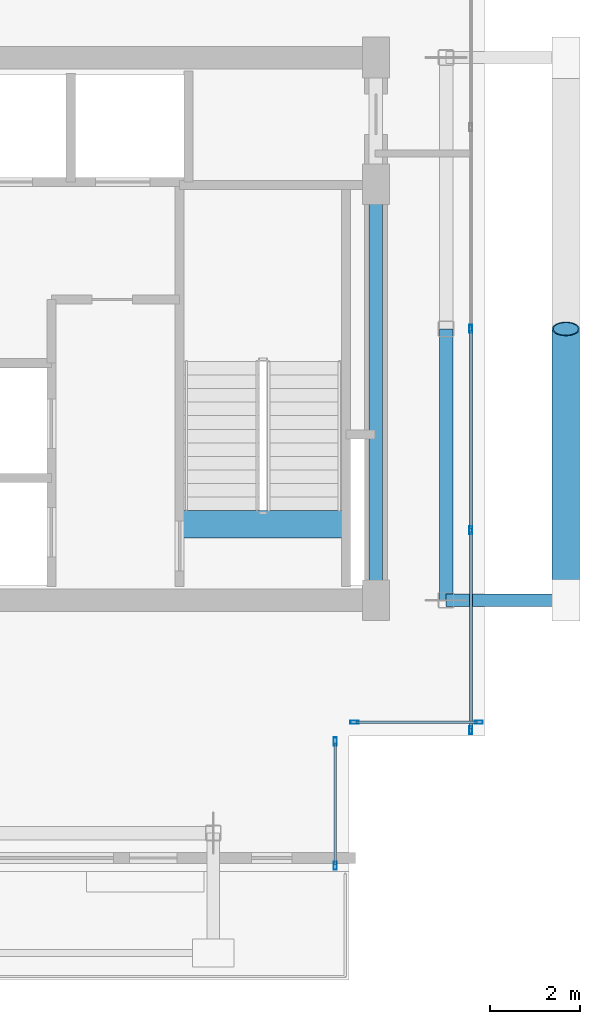
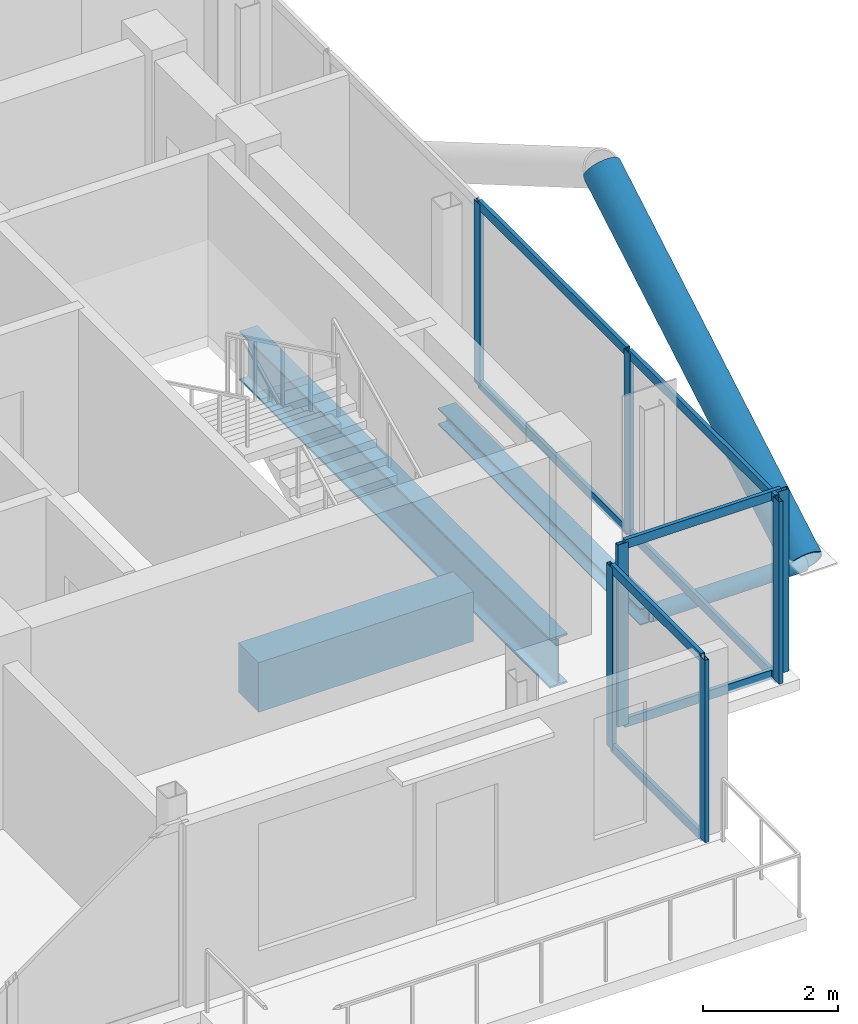
# One storey, part 12 of 19: 17 members, 3 beams, 3 elements without a shape of their own.
"""IFC4 building model written with IfcOpenShell, lengths in metres."""

from ifc_helpers import new_model, si_unit, direction, frame, origin, origin_2d, place, context, subcontext, project, spatial, rectangle, hollow_rectangle, hollow_circle, i_section, extrude, material, layer, layer_set, material_profile, profile_set, type_object, element, aggregate, save


model = new_model("IFC4")

# Units and contexts
model_context = context("Model", 3, precision=1e-05, world=origin(), true_north=direction((0.0, 1.0)))
body_context = subcontext(model_context, "Body", "Model", "MODEL_VIEW")
ifc_project = project(units=[si_unit("LENGTHUNIT", "METRE"), si_unit("AREAUNIT", "SQUARE_METRE"), si_unit("VOLUMEUNIT", "CUBIC_METRE"), si_unit("PLANEANGLEUNIT", "RADIAN"), si_unit("MASSUNIT", "GRAM", prefix="KILO"), si_unit("THERMODYNAMICTEMPERATUREUNIT", "KELVIN"), si_unit("POWERUNIT", "WATT")], contexts=[model_context])

# Site, building, storey
site_placement = place(None, origin())
site = spatial("IfcSite", under=ifc_project, at=site_placement, CompositionType="ELEMENT")
building_placement = place(site_placement, origin())
building = spatial("IfcBuilding", under=site, at=building_placement, Name="Svarakhadi Broadcast Tower", CompositionType="ELEMENT")
storey_placement = place(building_placement, frame((0.0, 0.0, 285.199951171875)))
storey = spatial("IfcBuildingStorey", under=building, at=storey_placement, Name="L72", CompositionType="ELEMENT", Elevation=285.199951171875)

# Curtain wall, members
ifc_material_1 = material(Name="Anodised Bronze Aluminium AA 6063-T6", Category="aluminium")
ifc_layer = layer(ifc_material_1, 0.179931640625)
ifc_layer_set = layer_set([ifc_layer], Name="Anodised Bronze Aluminium AA 6063-T6")
curtain_wall_type = type_object("IfcCurtainWallType", Name="CW_Sys_05", PredefinedType="NOTDEFINED", material=ifc_layer_set)
curtain_wall_1_placement = place(storey_placement, origin())
curtain_wall_1 = element("IfcCurtainWall", 1, at=curtain_wall_1_placement, inside=storey, type_object=curtain_wall_type, Name="L72 Unitised Facade Curtain Wall 12", PredefinedType="NOTDEFINED")
ifc_material_profile_1 = material_profile(ifc_material_1, hollow_rectangle(XDim=0.070068359375, YDim=0.179931640625, WallThickness=0.005615234375, at=origin_2d()), Name="ALU MULLION 180x70x6")
ifc_profile_set_1 = profile_set([ifc_material_profile_1], Name="Anodised Bronze Aluminium AA 6063-T6")
member_type_1 = type_object("IfcMemberType", Name="CW_Sys_05_Mul", PredefinedType="MULLION", material=ifc_profile_set_1)
member_1_placement = place(storey_placement, frame((35.699951171875, 12.0, 0.0), z_axis=(0.0, 0.0, 1.0), x_axis=(1.0, 0.0, 0.0)))
member_1 = element("IfcMember", 2, at=member_1_placement, type_object=member_type_1, Name="CW-05 mullion 3", PredefinedType="MULLION", context=body_context, shape_type="SweptSolid", body=[
    extrude(hollow_rectangle(XDim=0.070068359375, YDim=0.179931640625, WallThickness=0.005615234375, at=origin_2d()), origin(), (0.0, 0.0, 1.0), 3.300048828125),
])
member_2_placement = place(storey_placement, frame((35.699951171875, 7.544921875, 0.0), z_axis=(0.0, 0.0, 1.0), x_axis=(1.0, 0.0, 0.0)))
member_2 = element("IfcMember", 3, at=member_2_placement, type_object=member_type_1, Name="CW-05 mullion 4", PredefinedType="MULLION", context=body_context, shape_type="SweptSolid", body=[
    extrude(hollow_rectangle(XDim=0.070068359375, YDim=0.179931640625, WallThickness=0.005615234375, at=origin_2d()), origin(), (0.0, 0.0, 1.0), 3.300048828125),
])
member_3_placement = place(storey_placement, frame((35.699951171875, 3.125, 0.0), z_axis=(0.0, 0.0, 1.0), x_axis=(1.0, 0.0, 0.0)))
member_3 = element("IfcMember", 4, at=member_3_placement, type_object=member_type_1, Name="CW-05 mullion 5", PredefinedType="MULLION", context=body_context, shape_type="SweptSolid", body=[
    extrude(hollow_rectangle(XDim=0.070068359375, YDim=0.179931640625, WallThickness=0.005615234375, at=origin_2d()), origin(), (0.0, 0.0, 1.0), 3.300048828125),
])

curtain_wall_2_placement = place(storey_placement, origin())
curtain_wall_2 = element("IfcCurtainWall", 5, at=curtain_wall_2_placement, inside=storey, type_object=curtain_wall_type, Name="L72 Unitised Facade Curtain Wall 13", PredefinedType="NOTDEFINED")
member_4_placement = place(storey_placement, frame((35.875, 3.300048828125, 0.0), z_axis=(0.0, 0.0, 1.0), x_axis=(0.0, -1.0, 0.0)))
member_4 = element("IfcMember", 6, at=member_4_placement, type_object=member_type_1, Name="CW-05 mullion 1", PredefinedType="MULLION", context=body_context, shape_type="SweptSolid", body=[
    extrude(hollow_rectangle(XDim=0.070068359375, YDim=0.179931640625, WallThickness=0.005615234375, at=origin_2d()), origin(), (0.0, 0.0, 1.0), 3.300048828125),
])
member_5_placement = place(storey_placement, frame((33.125, 3.300048828125, 0.0), z_axis=(0.0, 0.0, 1.0), x_axis=(0.0, -1.0, 0.0)))
member_5 = element("IfcMember", 7, at=member_5_placement, type_object=member_type_1, Name="CW-05 mullion 2", PredefinedType="MULLION", context=body_context, shape_type="SweptSolid", body=[
    extrude(hollow_rectangle(XDim=0.070068359375, YDim=0.179931640625, WallThickness=0.005615234375, at=origin_2d()), origin(), (0.0, 0.0, 1.0), 3.300048828125),
])

curtain_wall_3_placement = place(storey_placement, origin())
curtain_wall_3 = element("IfcCurtainWall", 8, at=curtain_wall_3_placement, inside=storey, type_object=curtain_wall_type, Name="L72 Unitised Facade Curtain Wall 14", PredefinedType="NOTDEFINED")
member_6_placement = place(storey_placement, frame((32.699951171875, 2.875, 0.0), z_axis=(0.0, 0.0, 1.0), x_axis=(1.0, 0.0, 0.0)))
member_6 = element("IfcMember", 9, at=member_6_placement, type_object=member_type_1, Name="CW-05 mullion 1", PredefinedType="MULLION", context=body_context, shape_type="SweptSolid", body=[
    extrude(hollow_rectangle(XDim=0.070068359375, YDim=0.179931640625, WallThickness=0.005615234375, at=origin_2d()), origin(), (0.0, 0.0, 1.0), 3.300048828125),
])
member_7_placement = place(storey_placement, frame((32.699951171875, 0.125, 0.0), z_axis=(0.0, 0.0, 1.0), x_axis=(1.0, 0.0, 0.0)))
member_7 = element("IfcMember", 10, at=member_7_placement, type_object=member_type_1, Name="CW-05 mullion 2", PredefinedType="MULLION", context=body_context, shape_type="SweptSolid", body=[
    extrude(hollow_rectangle(XDim=0.070068359375, YDim=0.179931640625, WallThickness=0.005615234375, at=origin_2d()), origin(), (0.0, 0.0, 1.0), 3.300048828125),
])

# Member
ifc_material_profile_2 = material_profile(ifc_material_1, hollow_rectangle(XDim=0.06494140625, YDim=0.1650390625, WallThickness=0.0048828125, at=origin_2d()), Name="ALU TRANSOM 165x65x5")
ifc_profile_set_2 = profile_set([ifc_material_profile_2], Name="Anodised Bronze Aluminium AA 6063-T6")
member_type_2 = type_object("IfcMemberType", Name="CW_Sys_05_Trn", PredefinedType="USERDEFINED", material=ifc_profile_set_2)
member_8_placement = place(storey_placement, frame((35.699951171875, 11.965087890625, 0.032470703125), z_axis=(0.0, -1.0, 0.0), x_axis=(1.0, 0.0, 0.0)))
member_8 = element("IfcMember", 11, at=member_8_placement, type_object=member_type_2, Name="CW-05 transom 3.1", ObjectType="TRANSOM", PredefinedType="USERDEFINED", context=body_context, shape_type="SweptSolid", body=[
    extrude(hollow_rectangle(XDim=0.06494140625, YDim=0.1650390625, WallThickness=0.0048828125, at=origin_2d()), origin(), (0.0, 0.0, 1.0), 4.385009765625),
])

member_9_placement = place(storey_placement, frame((35.699951171875, 11.965087890625, 3.267578125), z_axis=(0.0, -1.0, 0.0), x_axis=(1.0, 0.0, 0.0)))
member_9 = element("IfcMember", 12, at=member_9_placement, type_object=member_type_2, Name="CW-05 transom 3.2", ObjectType="TRANSOM", PredefinedType="USERDEFINED", context=body_context, shape_type="SweptSolid", body=[
    extrude(hollow_rectangle(XDim=0.06494140625, YDim=0.1650390625, WallThickness=0.0048828125, at=origin_2d()), origin(), (0.0, 0.0, 1.0), 4.385009765625),
])

member_10_placement = place(storey_placement, frame((35.699951171875, 7.510009765625, 0.032470703125), z_axis=(0.0, -1.0, 0.0), x_axis=(1.0, 0.0, 0.0)))
member_10 = element("IfcMember", 13, at=member_10_placement, type_object=member_type_2, Name="CW-05 transom 4.1", ObjectType="TRANSOM", PredefinedType="USERDEFINED", context=body_context, shape_type="SweptSolid", body=[
    extrude(hollow_rectangle(XDim=0.06494140625, YDim=0.1650390625, WallThickness=0.0048828125, at=origin_2d()), origin(), (0.0, 0.0, 1.0), 4.35009765625),
])

member_11_placement = place(storey_placement, frame((35.699951171875, 7.510009765625, 3.267578125), z_axis=(0.0, -1.0, 0.0), x_axis=(1.0, 0.0, 0.0)))
member_11 = element("IfcMember", 14, at=member_11_placement, type_object=member_type_2, Name="CW-05 transom 4.2", ObjectType="TRANSOM", PredefinedType="USERDEFINED", context=body_context, shape_type="SweptSolid", body=[
    extrude(hollow_rectangle(XDim=0.06494140625, YDim=0.1650390625, WallThickness=0.0048828125, at=origin_2d()), origin(), (0.0, 0.0, 1.0), 4.35009765625),
])

aggregate(curtain_wall_1, [member_1, member_2, member_3, member_8, member_9, member_10, member_11])

member_12_placement = place(storey_placement, frame((35.840087890625, 3.300048828125, 0.032470703125), z_axis=(-1.0, 0.0, 0.0), x_axis=(0.0, -1.0, 0.0)))
member_12 = element("IfcMember", 15, at=member_12_placement, type_object=member_type_2, Name="CW-05 transom 1.1", ObjectType="TRANSOM", PredefinedType="USERDEFINED", context=body_context, shape_type="SweptSolid", body=[
    extrude(hollow_rectangle(XDim=0.06494140625, YDim=0.1650390625, WallThickness=0.0048828125, at=origin_2d()), origin(), (0.0, 0.0, 1.0), 2.68017578125),
])

member_13_placement = place(storey_placement, frame((35.840087890625, 3.300048828125, 3.267578125), z_axis=(-1.0, 0.0, 0.0), x_axis=(0.0, -1.0, 0.0)))
member_13 = element("IfcMember", 16, at=member_13_placement, type_object=member_type_2, Name="CW-05 transom 1.2", ObjectType="TRANSOM", PredefinedType="USERDEFINED", context=body_context, shape_type="SweptSolid", body=[
    extrude(hollow_rectangle(XDim=0.06494140625, YDim=0.1650390625, WallThickness=0.0048828125, at=origin_2d()), origin(), (0.0, 0.0, 1.0), 2.68017578125),
])

aggregate(curtain_wall_2, [member_4, member_5, member_12, member_13])

member_14_placement = place(storey_placement, frame((32.699951171875, 2.840087890625, 0.032470703125), z_axis=(0.0, -1.0, 0.0), x_axis=(1.0, 0.0, 0.0)))
member_14 = element("IfcMember", 17, at=member_14_placement, type_object=member_type_2, Name="CW-05 transom 1.1", ObjectType="TRANSOM", PredefinedType="USERDEFINED", context=body_context, shape_type="SweptSolid", body=[
    extrude(hollow_rectangle(XDim=0.06494140625, YDim=0.1650390625, WallThickness=0.0048828125, at=origin_2d()), origin(), (0.0, 0.0, 1.0), 2.68017578125),
])

member_15_placement = place(storey_placement, frame((32.699951171875, 2.840087890625, 3.267578125), z_axis=(0.0, -1.0, 0.0), x_axis=(1.0, 0.0, 0.0)))
member_15 = element("IfcMember", 18, at=member_15_placement, type_object=member_type_2, Name="CW-05 transom 1.2", ObjectType="TRANSOM", PredefinedType="USERDEFINED", context=body_context, shape_type="SweptSolid", body=[
    extrude(hollow_rectangle(XDim=0.06494140625, YDim=0.1650390625, WallThickness=0.0048828125, at=origin_2d()), origin(), (0.0, 0.0, 1.0), 2.68017578125),
])

aggregate(curtain_wall_3, [member_6, member_7, member_14, member_15])

# Beam
ifc_material_2 = material(Name="Concrete C50/60 (IS 456 M60)", Category="concrete")
ifc_material_profile_3 = material_profile(ifc_material_2, rectangle(XDim=0.60009765625, YDim=0.89990234375, at=origin_2d()), Name="RC 600x900")
ifc_profile_set_3 = profile_set([ifc_material_profile_3], Name="Concrete C50/60 (IS 456 M60)")
beam_type_1 = type_object("IfcBeamType", Name="Coupling_RC600", PredefinedType="USERDEFINED", material=ifc_profile_set_3)
beam_1_placement = place(storey_placement, frame((29.260009765625, 7.679931640625, -0.449951171875), z_axis=(1.0, 0.0, 0.0), x_axis=(0.0, 1.0, 0.0)))
element("IfcBeam", 19, at=beam_1_placement, inside=storey, type_object=beam_type_1, Name="L72 Stair ST-02 Landing Throat Trimmer Beam CB-01", ObjectType="GIRDER", PredefinedType="USERDEFINED", context=body_context, shape_type="SweptSolid", body=[
    extrude(rectangle(XDim=0.60009765625, YDim=0.89990234375, at=origin_2d()), origin(), (0.0, 0.0, 1.0), 3.679931640625),
])

# Members
ifc_material_3 = material(Name="Steel S460ML (IS 2062 E450BR)", Category="steel")
ifc_material_profile_4 = material_profile(ifc_material_3, hollow_circle(Radius=0.304931640625, WallThickness=0.030029296875, at=origin_2d()), Name="CHS 610x30")
ifc_profile_set_4 = profile_set([ifc_material_profile_4], Name="Steel S460ML (IS 2062 E450BR)")
member_type_3 = type_object("IfcMemberType", Name="Exo_Brace_CHS610", PredefinedType="BRACE", material=ifc_profile_set_4)
member_16_placement = place(storey_placement, frame((37.800048828125, 6.0, -0.33642578125), z_axis=(0.0, 0.863778900898, 0.503871025524), x_axis=(-1.0, 0.0, 0.0)))
element("IfcMember", 20, at=member_16_placement, inside=storey, type_object=member_type_3, Name="L72 Exposed Bronze Exoskeleton Diagonal E04", PredefinedType="BRACE", context=body_context, shape_type="SweptSolid", body=[
    extrude(hollow_circle(Radius=0.304931640625, WallThickness=0.030029296875, at=origin_2d()), origin(), (0.0, 0.0, 1.0), 6.9462890625),
])
ifc_material_profile_5 = material_profile(ifc_material_3, hollow_circle(Radius=0.136474609375, WallThickness=0.012451171875, at=origin_2d()), Name="CHS 273x12.5")
ifc_profile_set_5 = profile_set([ifc_material_profile_5], Name="Steel S460ML (IS 2062 E450BR)")
member_type_4 = type_object("IfcMemberType", Name="Exo_Radial_Strut_Z3", PredefinedType="STRUT", material=ifc_profile_set_5)
member_17_placement = place(storey_placement, frame((37.800048828125, 6.0, -0.33642578125), z_axis=(-1.0, 0.0, 0.0), x_axis=(0.0, -1.0, 0.0)))
element("IfcMember", 21, at=member_17_placement, inside=storey, type_object=member_type_4, Name="L72 Exoskeleton Radial Tie Strut E05", PredefinedType="STRUT", context=body_context, shape_type="SweptSolid", body=[
    extrude(hollow_circle(Radius=0.136474609375, WallThickness=0.012451171875, at=origin_2d()), origin(), (0.0, 0.0, 1.0), 2.650146484375),
])

# Beams
ifc_material_4 = material(Name="Steel S355J2 (IS 2062 E350C)", Category="steel")
ifc_material_profile_6 = material_profile(ifc_material_4, i_section(OverallWidth=0.300048828125, OverallDepth=0.300048828125, WebThickness=0.010986328125, FlangeThickness=0.01904296875, FilletRadius=0.027099609375, at=origin_2d()), Name="WPB 300x300x117")
ifc_profile_set_6 = profile_set([ifc_material_profile_6], Name="Steel S355J2 (IS 2062 E350C)")
beam_type_2 = type_object("IfcBeamType", Name="Girder_WPB300", PredefinedType="USERDEFINED", material=ifc_profile_set_6)
beam_2_placement = place(storey_placement, frame((35.14990234375, 6.0, -0.349853515625), z_axis=(0.0, 1.0, 0.0), x_axis=(-1.0, 0.0, 0.0)))
element("IfcBeam", 22, at=beam_2_placement, inside=storey, type_object=beam_type_2, Name="L72 Primary N-S Girder G045", ObjectType="GIRDER", PredefinedType="USERDEFINED", context=body_context, shape_type="SweptSolid", body=[
    extrude(i_section(OverallWidth=0.300048828125, OverallDepth=0.300048828125, WebThickness=0.010986328125, FlangeThickness=0.01904296875, FilletRadius=0.027099609375, at=origin_2d()), origin(), (0.0, 0.0, 1.0), 6.0),
])
ifc_material_profile_7 = material_profile(ifc_material_3, i_section(OverallWidth=0.300048828125, OverallDepth=0.89990234375, WebThickness=0.0185546875, FlangeThickness=0.034912109375, FilletRadius=0.030029296875, at=origin_2d()), Name="WPB 900x300x291")
ifc_profile_set_7 = profile_set([ifc_material_profile_7], Name="Steel S460ML (IS 2062 E450BR)")
beam_type_3 = type_object("IfcBeamType", Name="Girder_WPB900", PredefinedType="USERDEFINED", material=ifc_profile_set_7)
beam_3_placement = place(storey_placement, frame((33.60009765625, 6.0, -0.64990234375), z_axis=(0.0, 1.0, 0.0), x_axis=(-1.0, 0.0, 0.0)))
element("IfcBeam", 23, at=beam_3_placement, inside=storey, type_object=beam_type_3, Name="L72 Primary N-S Girder G043", ObjectType="GIRDER", PredefinedType="USERDEFINED", context=body_context, shape_type="SweptSolid", body=[
    extrude(i_section(OverallWidth=0.300048828125, OverallDepth=0.89990234375, WebThickness=0.0185546875, FlangeThickness=0.034912109375, FilletRadius=0.030029296875, at=origin_2d()), origin(), (0.0, 0.0, 1.0), 9.199951171875),
])

save(model, "model.ifc")
